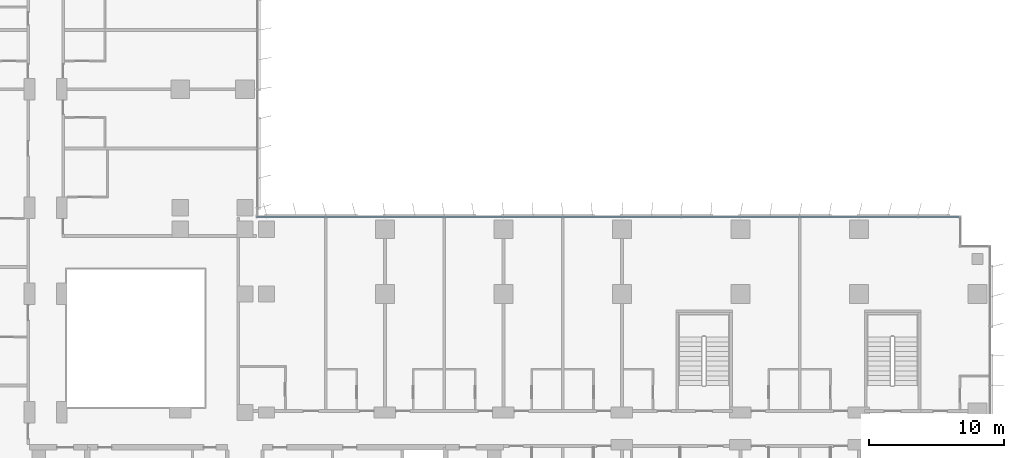
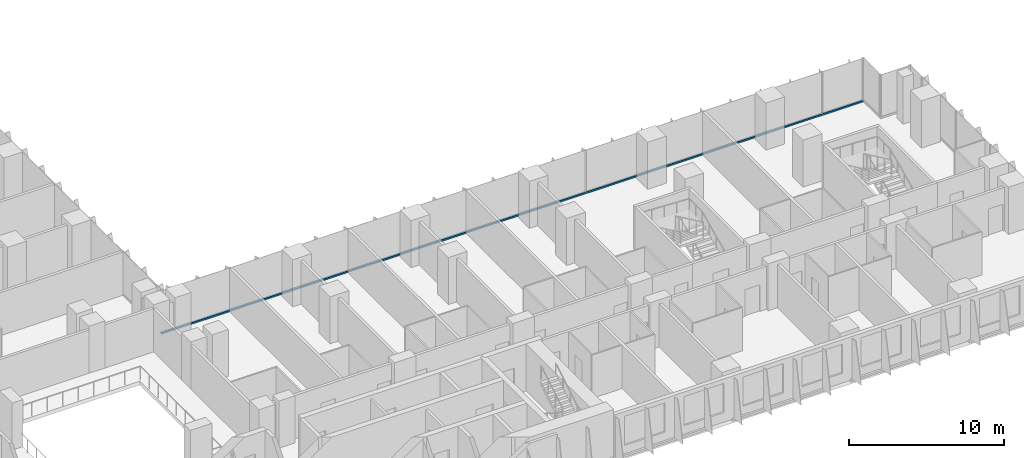
# One storey, part 3 of 24: 1 member, 1 element without a shape of its own.
"""IFC4 building model written with IfcOpenShell, lengths in metres."""

from ifc_helpers import new_model, si_unit, direction, frame, origin, origin_2d, place, context, subcontext, project, spatial, rectangle, extrude, material, material_profile, profile_set, type_object, element, aggregate, save


model = new_model("IFC4")

# Units and contexts
model_context = context("Model", 3, precision=1e-05, world=origin(), true_north=direction((0.0, 1.0)))
body_context = subcontext(model_context, "Body", "Model", "MODEL_VIEW")
ifc_project = project(units=[si_unit("LENGTHUNIT", "METRE"), si_unit("AREAUNIT", "SQUARE_METRE"), si_unit("VOLUMEUNIT", "CUBIC_METRE"), si_unit("PLANEANGLEUNIT", "RADIAN"), si_unit("MASSUNIT", "GRAM", prefix="KILO")], contexts=[model_context])

# Site, building, storey
site_placement = place(None, origin())
site = spatial("IfcSite", under=ifc_project, at=site_placement, CompositionType="ELEMENT")
building_placement = place(site_placement, origin())
building = spatial("IfcBuilding", under=site, at=building_placement, Name="Kemantara Hotel Tower", CompositionType="ELEMENT")
storey_placement = place(building_placement, frame((0.0, 0.0, 37.699951171875)))
storey = spatial("IfcBuildingStorey", under=building, at=storey_placement, Name="L07", CompositionType="ELEMENT", Elevation=37.699951171875)

# Curtain wall, member
ifc_material_1 = material(Name="Low-E tinted double insulated glass 36 mm", Category="glass")
curtain_wall_type = type_object("IfcCurtainWallType", Name="TOWER CURTAIN WALL, FRONT FACES", PredefinedType="USERDEFINED", material=ifc_material_1)
curtain_wall_placement = place(storey_placement, origin())
curtain_wall = element("IfcCurtainWall", 1, at=curtain_wall_placement, inside=storey, type_object=curtain_wall_type, Name="CW4 L07 T1-R07-1", ObjectType="TOWER CURTAIN WALL, FRONT FACES", PredefinedType="USERDEFINED")
ifc_material_2 = material(Name="Aluminium 6063-T6 bronze anodised", Category="aluminium")
ifc_material_profile = material_profile(ifc_material_2, rectangle(XDim=0.14990234375, YDim=0.1201171875, at=origin_2d()), Name="TOWER CURTAIN WALL, FRONT FACES TRANSOM")
ifc_profile_set = profile_set([ifc_material_profile], Name="Aluminium 6063-T6 bronze anodised")
member_type = type_object("IfcMemberType", Name="TOWER CURTAIN WALL, FRONT FACES TRANSOM", PredefinedType="USERDEFINED", material=ifc_profile_set)
member_placement = place(storey_placement, frame((78.85009765625, 26.72509765625, 0.06005859375), z_axis=(-1.0, 0.0, 0.0), x_axis=(0.0, -1.0, 0.0)))
member = element("IfcMember", 2, at=member_placement, type_object=member_type, Name="CW4 sill transom T1-R07-1", ObjectType="TRANSOM", PredefinedType="USERDEFINED", context=body_context, shape_type="SweptSolid", body=[
    extrude(rectangle(XDim=0.14990234375, YDim=0.1201171875, at=origin_2d()), origin(), (0.0, 0.0, 1.0), 52.2001953125),
])
aggregate(curtain_wall, [member])

save(model, "model.ifc")
